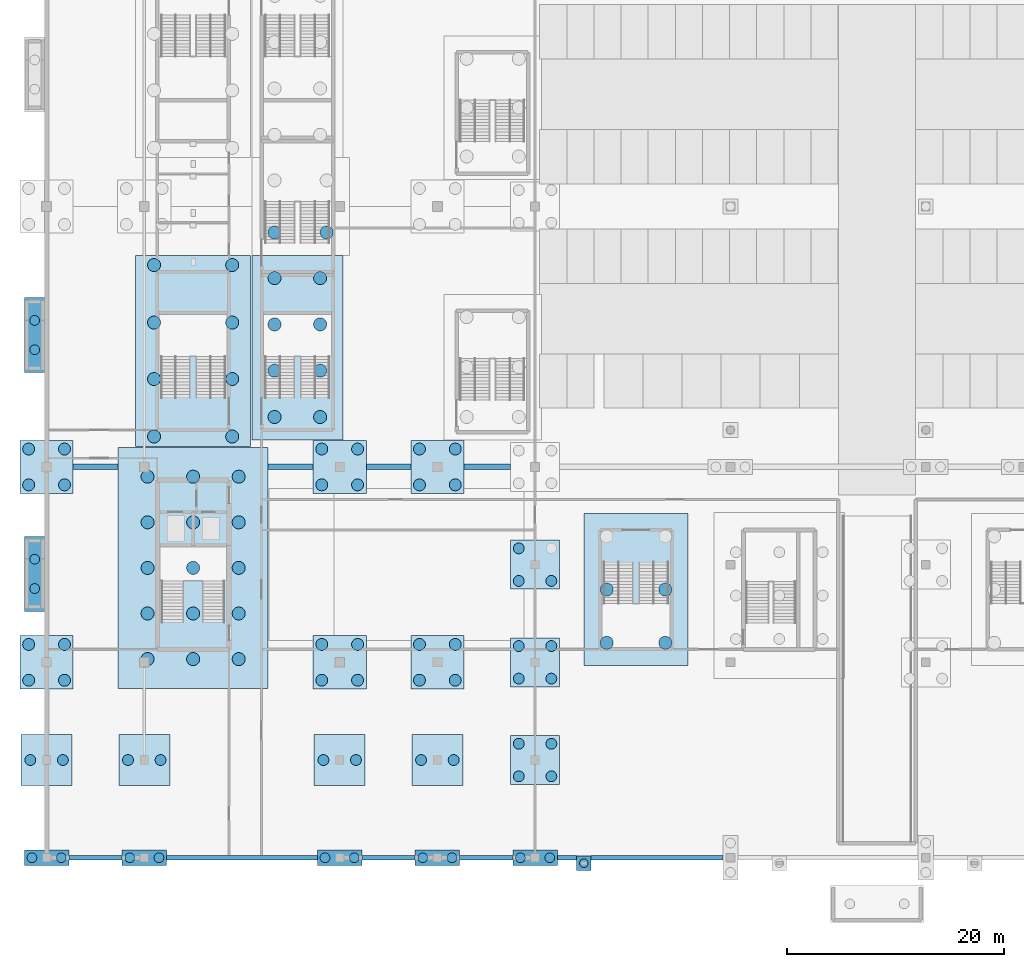
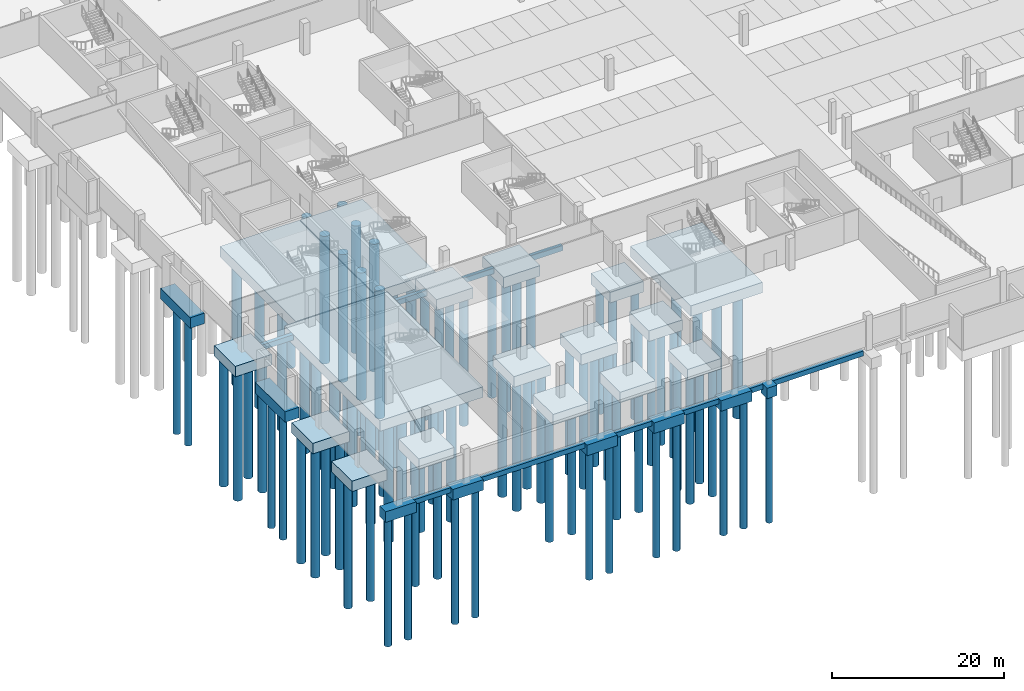
# One storey, part 1 of 46: 95 piles, 35 footings.
"""IFC4 building model written with IfcOpenShell, lengths in metres."""

from ifc_helpers import new_model, si_unit, direction, frame, origin, origin_2d, place, context, subcontext, project, spatial, polyline, circle, outline, extrude, material, material_profile, profile_set, type_object, element, save


model = new_model("IFC4")

# Units and contexts
model_context = context("Model", 3, precision=1e-05, world=origin(), true_north=direction((0.0, 1.0)))
body_context = subcontext(model_context, "Body", "Model", "MODEL_VIEW")
ifc_project = project(units=[si_unit("LENGTHUNIT", "METRE"), si_unit("AREAUNIT", "SQUARE_METRE"), si_unit("VOLUMEUNIT", "CUBIC_METRE"), si_unit("PLANEANGLEUNIT", "RADIAN"), si_unit("MASSUNIT", "GRAM", prefix="KILO")], contexts=[model_context])

# Site, building, storey
site_placement = place(None, origin())
site = spatial("IfcSite", under=ifc_project, at=site_placement, CompositionType="ELEMENT")
building_placement = place(site_placement, origin())
building = spatial("IfcBuilding", under=site, at=building_placement, Name="Kisiwana Market Hall", CompositionType="ELEMENT")
storey_placement = place(building_placement, frame((0.0, 0.0, -4.5)))
storey = spatial("IfcBuildingStorey", under=building, at=storey_placement, Name="B1", CompositionType="ELEMENT", Elevation=-4.5)

# Footings
ifc_material_1 = material(Name="Concrete C40/50", Category="concrete")
footing_type_1 = type_object("IfcFootingType", Name="FB-TIE-450x700", PredefinedType="FOOTING_BEAM", material=ifc_material_1)
footing_1_placement = place(storey_placement, frame((0.0, 0.0, -1.14990234375)))
element("IfcFooting", 1, at=footing_1_placement, inside=storey, type_object=footing_type_1, Name="Ground tie beam F-200", PredefinedType="FOOTING_BEAM", context=body_context, shape_type="SweptSolid", body=[
    extrude(outline(polyline([(2.050048828125, -0.22509765625), (6.949951171875, -0.22509765625), (6.949951171875, 0.22509765625), (2.050048828125, 0.22509765625), (2.050048828125, -0.22509765625)])), origin(), (0.0, 0.0, 1.0), 0.699951171875),
])
footing_2_placement = place(storey_placement, frame((0.0, 0.0, -1.14990234375)))
element("IfcFooting", 2, at=footing_2_placement, inside=storey, type_object=footing_type_1, Name="Ground tie beam F-201", PredefinedType="FOOTING_BEAM", context=body_context, shape_type="SweptSolid", body=[
    extrude(outline(polyline([(11.050048828125, -0.22509765625), (24.949951171875, -0.22509765625), (24.949951171875, 0.22509765625), (11.050048828125, 0.22509765625), (11.050048828125, -0.22509765625)])), origin(), (0.0, 0.0, 1.0), 0.699951171875),
])
footing_3_placement = place(storey_placement, frame((0.0, 0.0, -1.14990234375)))
element("IfcFooting", 3, at=footing_3_placement, inside=storey, type_object=footing_type_1, Name="Ground tie beam F-202", PredefinedType="FOOTING_BEAM", context=body_context, shape_type="SweptSolid", body=[
    extrude(outline(polyline([(29.050048828125, -0.22509765625), (33.949951171875, -0.22509765625), (33.949951171875, 0.22509765625), (29.050048828125, 0.22509765625), (29.050048828125, -0.22509765625)])), origin(), (0.0, 0.0, 1.0), 0.699951171875),
])
footing_4_placement = place(storey_placement, frame((0.0, 0.0, -1.14990234375)))
element("IfcFooting", 4, at=footing_4_placement, inside=storey, type_object=footing_type_1, Name="Ground tie beam F-203", PredefinedType="FOOTING_BEAM", context=body_context, shape_type="SweptSolid", body=[
    extrude(outline(polyline([(38.050048828125, -0.22509765625), (42.949951171875, -0.22509765625), (42.949951171875, 0.22509765625), (38.050048828125, 0.22509765625), (38.050048828125, -0.22509765625)])), origin(), (0.0, 0.0, 1.0), 0.699951171875),
])
footing_5_placement = place(storey_placement, frame((0.0, 0.0, -1.14990234375)))
element("IfcFooting", 5, at=footing_5_placement, inside=storey, type_object=footing_type_1, Name="Ground tie beam F-204", PredefinedType="FOOTING_BEAM", context=body_context, shape_type="SweptSolid", body=[
    extrude(outline(polyline([(47.050048828125, -0.22509765625), (48.824951171875, -0.22509765625), (48.824951171875, 0.22509765625), (47.050048828125, 0.22509765625), (47.050048828125, -0.22509765625)])), origin(), (0.0, 0.0, 1.0), 0.699951171875),
])
footing_6_placement = place(storey_placement, frame((0.0, 0.0, -1.14990234375)))
element("IfcFooting", 6, at=footing_6_placement, inside=storey, type_object=footing_type_1, Name="Ground tie beam F-205", PredefinedType="FOOTING_BEAM", context=body_context, shape_type="SweptSolid", body=[
    extrude(outline(polyline([(50.175048828125, -0.22509765625), (62.300048828125, -0.22509765625), (62.300048828125, 0.22509765625), (50.175048828125, 0.22509765625), (50.175048828125, -0.22509765625)])), origin(), (0.0, 0.0, 1.0), 0.699951171875),
])
ifc_material_2 = material(Name="Concrete C40/50", Category="concrete")
footing_type_2 = type_object("IfcFootingType", Name="FB-TIE-500x750", PredefinedType="FOOTING_BEAM", material=ifc_material_2)
footing_7_placement = place(storey_placement, frame((0.0, 0.0, -1.199951171875)))
element("IfcFooting", 7, at=footing_7_placement, inside=storey, type_object=footing_type_2, Name="Ground tie beam F-220", PredefinedType="FOOTING_BEAM", context=body_context, shape_type="SweptSolid", body=[
    extrude(outline(polyline([(2.449951171875, 35.75), (6.60009765625, 35.75), (6.60009765625, 36.25), (2.449951171875, 36.25), (2.449951171875, 35.75)])), origin(), (0.0, 0.0, 1.0), 0.75),
])
footing_8_placement = place(storey_placement, frame((0.0, 0.0, -1.199951171875)))
element("IfcFooting", 8, at=footing_8_placement, inside=storey, type_object=footing_type_2, Name="Ground tie beam F-221", PredefinedType="FOOTING_BEAM", context=body_context, shape_type="SweptSolid", body=[
    extrude(outline(polyline([(20.39990234375, 35.75), (24.550048828125, 35.75), (24.550048828125, 36.25), (20.39990234375, 36.25), (20.39990234375, 35.75)])), origin(), (0.0, 0.0, 1.0), 0.75),
])
footing_9_placement = place(storey_placement, frame((0.0, 0.0, -1.199951171875)))
element("IfcFooting", 9, at=footing_9_placement, inside=storey, type_object=footing_type_2, Name="Ground tie beam F-222", PredefinedType="FOOTING_BEAM", context=body_context, shape_type="SweptSolid", body=[
    extrude(outline(polyline([(29.449951171875, 35.75), (33.550048828125, 35.75), (33.550048828125, 36.25), (29.449951171875, 36.25), (29.449951171875, 35.75)])), origin(), (0.0, 0.0, 1.0), 0.75),
])
footing_10_placement = place(storey_placement, frame((0.0, 0.0, -1.199951171875)))
element("IfcFooting", 10, at=footing_10_placement, inside=storey, type_object=footing_type_2, Name="Ground tie beam F-223", PredefinedType="FOOTING_BEAM", context=body_context, shape_type="SweptSolid", body=[
    extrude(outline(polyline([(38.449951171875, 35.75), (42.75, 35.75), (42.75, 36.25), (38.449951171875, 36.25), (38.449951171875, 35.75)])), origin(), (0.0, 0.0, 1.0), 0.75),
])
ifc_material_3 = material(Name="Concrete C40/50", Category="concrete")
footing_type_3 = type_object("IfcFootingType", Name="PC-1P-800", PredefinedType="PILE_CAP", material=ifc_material_3)
footing_11_placement = place(storey_placement, frame((0.0, 0.0, -1.949951171875)))
element("IfcFooting", 11, at=footing_11_placement, inside=storey, type_object=footing_type_3, Name="Pilaster cap F-138", PredefinedType="PILE_CAP", context=body_context, shape_type="SweptSolid", body=[
    extrude(outline(polyline([(48.824951171875, -1.175048828125), (50.175048828125, -1.175048828125), (50.175048828125, 0.175048828125), (48.824951171875, 0.175048828125), (48.824951171875, -1.175048828125)])), origin(), (0.0, 0.0, 1.0), 1.5),
])
ifc_material_4 = material(Name="Concrete C40/50", Category="concrete")
footing_type_4 = type_object("IfcFootingType", Name="PC-2P-900", PredefinedType="PILE_CAP", material=ifc_material_4)
footing_12_placement = place(storey_placement, frame((0.0, 0.0, -1.949951171875)))
element("IfcFooting", 12, at=footing_12_placement, inside=storey, type_object=footing_type_4, Name="Pile cap F-002 at A/1", PredefinedType="PILE_CAP", context=body_context, shape_type="SweptSolid", body=[
    extrude(outline(polyline([(-2.050048828125, -0.699951171875), (2.050048828125, -0.699951171875), (2.050048828125, 0.699951171875), (-2.050048828125, 0.699951171875), (-2.050048828125, -0.699951171875)])), origin(), (0.0, 0.0, 1.0), 1.5),
])
footing_13_placement = place(storey_placement, frame((0.0, 0.0, -1.949951171875)))
element("IfcFooting", 13, at=footing_13_placement, inside=storey, type_object=footing_type_4, Name="Pile cap F-012 at A/2", PredefinedType="PILE_CAP", context=body_context, shape_type="SweptSolid", body=[
    extrude(outline(polyline([(6.949951171875, -0.699951171875), (11.050048828125, -0.699951171875), (11.050048828125, 0.699951171875), (6.949951171875, 0.699951171875), (6.949951171875, -0.699951171875)])), origin(), (0.0, 0.0, 1.0), 1.5),
])
footing_14_placement = place(storey_placement, frame((0.0, 0.0, -1.949951171875)))
element("IfcFooting", 14, at=footing_14_placement, inside=storey, type_object=footing_type_4, Name="Pile cap F-017 at A/4", PredefinedType="PILE_CAP", context=body_context, shape_type="SweptSolid", body=[
    extrude(outline(polyline([(24.949951171875, -0.699951171875), (29.050048828125, -0.699951171875), (29.050048828125, 0.699951171875), (24.949951171875, 0.699951171875), (24.949951171875, -0.699951171875)])), origin(), (0.0, 0.0, 1.0), 1.5),
])
footing_15_placement = place(storey_placement, frame((0.0, 0.0, -1.949951171875)))
element("IfcFooting", 15, at=footing_15_placement, inside=storey, type_object=footing_type_4, Name="Pile cap F-026 at A/5", PredefinedType="PILE_CAP", context=body_context, shape_type="SweptSolid", body=[
    extrude(outline(polyline([(33.949951171875, -0.699951171875), (38.050048828125, -0.699951171875), (38.050048828125, 0.699951171875), (33.949951171875, 0.699951171875), (33.949951171875, -0.699951171875)])), origin(), (0.0, 0.0, 1.0), 1.5),
])
footing_16_placement = place(storey_placement, frame((0.0, 0.0, -1.949951171875)))
element("IfcFooting", 16, at=footing_16_placement, inside=storey, type_object=footing_type_4, Name="Pile cap F-035 at A/6", PredefinedType="PILE_CAP", context=body_context, shape_type="SweptSolid", body=[
    extrude(outline(polyline([(42.949951171875, -0.699951171875), (47.050048828125, -0.699951171875), (47.050048828125, 0.699951171875), (42.949951171875, 0.699951171875), (42.949951171875, -0.699951171875)])), origin(), (0.0, 0.0, 1.0), 1.5),
])
ifc_material_5 = material(Name="Concrete C40/50", Category="concrete")
footing_type_5 = type_object("IfcFootingType", Name="PC-2P-900V", PredefinedType="PILE_CAP", material=ifc_material_5)
footing_17_placement = place(storey_placement, frame((0.0, 0.0, -1.949951171875)))
element("IfcFooting", 17, at=footing_17_placement, inside=storey, type_object=footing_type_5, Name="Ramp foundation cap F-194", PredefinedType="PILE_CAP", context=body_context, shape_type="SweptSolid", body=[
    extrude(outline(polyline([(-2.050048828125, 22.699951171875), (-0.14990234375, 22.699951171875), (-0.14990234375, 29.60009765625), (-2.050048828125, 29.60009765625), (-2.050048828125, 22.699951171875)])), origin(), (0.0, 0.0, 1.0), 1.5),
])
footing_18_placement = place(storey_placement, frame((0.0, 0.0, -1.949951171875)))
element("IfcFooting", 18, at=footing_18_placement, inside=storey, type_object=footing_type_5, Name="Ramp foundation cap F-195", PredefinedType="PILE_CAP", context=body_context, shape_type="SweptSolid", body=[
    extrude(outline(polyline([(-2.050048828125, 44.699951171875), (-0.14990234375, 44.699951171875), (-0.14990234375, 51.60009765625), (-2.050048828125, 51.60009765625), (-2.050048828125, 44.699951171875)])), origin(), (0.0, 0.0, 1.0), 1.5),
])
ifc_material_6 = material(Name="Concrete C40/50", Category="concrete")
footing_type_6 = type_object("IfcFootingType", Name="PC-4P-1000", PredefinedType="PILE_CAP", material=ifc_material_6)
footing_19_placement = place(storey_placement, frame((0.0, 0.0, -1.949951171875)))
element("IfcFooting", 19, at=footing_19_placement, inside=storey, type_object=footing_type_6, Name="Pile cap F-036 at B/6", PredefinedType="PILE_CAP", context=body_context, shape_type="SweptSolid", body=[
    extrude(outline(polyline([(42.75, 6.75), (47.25, 6.75), (47.25, 11.25), (42.75, 11.25), (42.75, 6.75)])), origin(), (0.0, 0.0, 1.0), 1.5),
])
footing_20_placement = place(storey_placement, frame((0.0, 0.0, -1.949951171875)))
element("IfcFooting", 20, at=footing_20_placement, inside=storey, type_object=footing_type_6, Name="Pile cap F-037 at C/6", PredefinedType="PILE_CAP", context=body_context, shape_type="SweptSolid", body=[
    extrude(outline(polyline([(42.75, 15.75), (47.25, 15.75), (47.25, 20.25), (42.75, 20.25), (42.75, 15.75)])), origin(), (0.0, 0.0, 1.0), 1.5),
])
footing_21_placement = place(storey_placement, frame((0.0, 0.0, -1.949951171875)))
element("IfcFooting", 21, at=footing_21_placement, inside=storey, type_object=footing_type_6, Name="Pile cap F-038 at D/6", PredefinedType="PILE_CAP", context=body_context, shape_type="SweptSolid", body=[
    extrude(outline(polyline([(42.75, 24.75), (47.25, 24.75), (47.25, 29.25), (42.75, 29.25), (42.75, 24.75)])), origin(), (0.0, 0.0, 1.0), 1.5),
])
ifc_material_7 = material(Name="Concrete C40/50", Category="concrete")
footing_type_7 = type_object("IfcFootingType", Name="PC-4P-1050", PredefinedType="PILE_CAP", material=ifc_material_7)
footing_22_placement = place(storey_placement, frame((0.0, 0.0, -1.949951171875)))
element("IfcFooting", 22, at=footing_22_placement, inside=storey, type_object=footing_type_7, Name="Pile cap F-003 at B/1", PredefinedType="PILE_CAP", context=body_context, shape_type="SweptSolid", body=[
    extrude(outline(polyline([(-2.35009765625, 6.64990234375), (2.35009765625, 6.64990234375), (2.35009765625, 11.35009765625), (-2.35009765625, 11.35009765625), (-2.35009765625, 6.64990234375)])), origin(), (0.0, 0.0, 1.0), 1.5),
])
footing_23_placement = place(storey_placement, frame((0.0, 0.0, -1.949951171875)))
element("IfcFooting", 23, at=footing_23_placement, inside=storey, type_object=footing_type_7, Name="Pile cap F-013 at B/2", PredefinedType="PILE_CAP", context=body_context, shape_type="SweptSolid", body=[
    extrude(outline(polyline([(6.64990234375, 6.64990234375), (11.35009765625, 6.64990234375), (11.35009765625, 11.35009765625), (6.64990234375, 11.35009765625), (6.64990234375, 6.64990234375)])), origin(), (0.0, 0.0, 1.0), 1.5),
])
footing_24_placement = place(storey_placement, frame((0.0, 0.0, -1.949951171875)))
element("IfcFooting", 24, at=footing_24_placement, inside=storey, type_object=footing_type_7, Name="Pile cap F-018 at B/4", PredefinedType="PILE_CAP", context=body_context, shape_type="SweptSolid", body=[
    extrude(outline(polyline([(24.64990234375, 6.64990234375), (29.35009765625, 6.64990234375), (29.35009765625, 11.35009765625), (24.64990234375, 11.35009765625), (24.64990234375, 6.64990234375)])), origin(), (0.0, 0.0, 1.0), 1.5),
])
footing_25_placement = place(storey_placement, frame((0.0, 0.0, -1.949951171875)))
element("IfcFooting", 25, at=footing_25_placement, inside=storey, type_object=footing_type_7, Name="Pile cap F-027 at B/5", PredefinedType="PILE_CAP", context=body_context, shape_type="SweptSolid", body=[
    extrude(outline(polyline([(33.64990234375, 6.64990234375), (38.35009765625, 6.64990234375), (38.35009765625, 11.35009765625), (33.64990234375, 11.35009765625), (33.64990234375, 6.64990234375)])), origin(), (0.0, 0.0, 1.0), 1.5),
])
ifc_material_8 = material(Name="Concrete C40/50", Category="concrete")
footing_type_8 = type_object("IfcFootingType", Name="PC-4P-1100", PredefinedType="PILE_CAP", material=ifc_material_8)
footing_26_placement = place(storey_placement, frame((0.0, 0.0, -1.949951171875)))
element("IfcFooting", 26, at=footing_26_placement, inside=storey, type_object=footing_type_8, Name="Pile cap F-004 at C/1", PredefinedType="PILE_CAP", context=body_context, shape_type="SweptSolid", body=[
    extrude(outline(polyline([(-2.449951171875, 15.550048828125), (2.449951171875, 15.550048828125), (2.449951171875, 20.449951171875), (-2.449951171875, 20.449951171875), (-2.449951171875, 15.550048828125)])), origin(), (0.0, 0.0, 1.0), 1.5),
])
footing_27_placement = place(storey_placement, frame((0.0, 0.0, -1.949951171875)))
element("IfcFooting", 27, at=footing_27_placement, inside=storey, type_object=footing_type_8, Name="Pile cap F-005 at E/1", PredefinedType="PILE_CAP", context=body_context, shape_type="SweptSolid", body=[
    extrude(outline(polyline([(-2.449951171875, 33.550048828125), (2.449951171875, 33.550048828125), (2.449951171875, 38.449951171875), (-2.449951171875, 38.449951171875), (-2.449951171875, 33.550048828125)])), origin(), (0.0, 0.0, 1.0), 1.5),
])
footing_28_placement = place(storey_placement, frame((0.0, 0.0, -1.949951171875)))
element("IfcFooting", 28, at=footing_28_placement, inside=storey, type_object=footing_type_8, Name="Pile cap F-019 at C/4", PredefinedType="PILE_CAP", context=body_context, shape_type="SweptSolid", body=[
    extrude(outline(polyline([(24.550048828125, 15.550048828125), (29.449951171875, 15.550048828125), (29.449951171875, 20.449951171875), (24.550048828125, 20.449951171875), (24.550048828125, 15.550048828125)])), origin(), (0.0, 0.0, 1.0), 1.5),
])
footing_29_placement = place(storey_placement, frame((0.0, 0.0, -1.949951171875)))
element("IfcFooting", 29, at=footing_29_placement, inside=storey, type_object=footing_type_8, Name="Pile cap F-020 at E/4", PredefinedType="PILE_CAP", context=body_context, shape_type="SweptSolid", body=[
    extrude(outline(polyline([(24.550048828125, 33.550048828125), (29.449951171875, 33.550048828125), (29.449951171875, 38.449951171875), (24.550048828125, 38.449951171875), (24.550048828125, 33.550048828125)])), origin(), (0.0, 0.0, 1.0), 1.5),
])
footing_30_placement = place(storey_placement, frame((0.0, 0.0, -1.949951171875)))
element("IfcFooting", 30, at=footing_30_placement, inside=storey, type_object=footing_type_8, Name="Pile cap F-028 at C/5", PredefinedType="PILE_CAP", context=body_context, shape_type="SweptSolid", body=[
    extrude(outline(polyline([(33.550048828125, 15.550048828125), (38.449951171875, 15.550048828125), (38.449951171875, 20.449951171875), (33.550048828125, 20.449951171875), (33.550048828125, 15.550048828125)])), origin(), (0.0, 0.0, 1.0), 1.5),
])
footing_31_placement = place(storey_placement, frame((0.0, 0.0, -1.949951171875)))
element("IfcFooting", 31, at=footing_31_placement, inside=storey, type_object=footing_type_8, Name="Pile cap F-029 at E/5", PredefinedType="PILE_CAP", context=body_context, shape_type="SweptSolid", body=[
    extrude(outline(polyline([(33.550048828125, 33.550048828125), (38.449951171875, 33.550048828125), (38.449951171875, 38.449951171875), (33.550048828125, 38.449951171875), (33.550048828125, 33.550048828125)])), origin(), (0.0, 0.0, 1.0), 1.5),
])
ifc_material_9 = material(Name="Concrete C40/50", Category="concrete")
footing_type_9 = type_object("IfcFootingType", Name="PC-ESC-RAFT", PredefinedType="PILE_CAP", material=ifc_material_9)
footing_32_placement = place(storey_placement, frame((0.0, 0.0, -1.949951171875)))
element("IfcFooting", 32, at=footing_32_placement, inside=storey, type_object=footing_type_9, Name="Core raft pile cap W3 F-188", PredefinedType="PILE_CAP", context=body_context, shape_type="SweptSolid", body=[
    extrude(outline(polyline([(8.199951171875, 37.89990234375), (18.800048828125, 37.89990234375), (18.800048828125, 55.5), (8.199951171875, 55.5), (8.199951171875, 37.89990234375)])), origin(), (0.0, 0.0, 1.0), 1.5),
])
footing_33_placement = place(storey_placement, frame((0.0, 0.0, -1.949951171875)))
element("IfcFooting", 33, at=footing_33_placement, inside=storey, type_object=footing_type_9, Name="Core raft pile cap W7 F-191", PredefinedType="PILE_CAP", context=body_context, shape_type="SweptSolid", body=[
    extrude(outline(polyline([(18.89990234375, 38.5), (27.300048828125, 38.5), (27.300048828125, 55.5), (18.89990234375, 55.5), (18.89990234375, 38.5)])), origin(), (0.0, 0.0, 1.0), 1.5),
])
footing_34_placement = place(storey_placement, frame((0.0, 0.0, -1.949951171875)))
element("IfcFooting", 34, at=footing_34_placement, inside=storey, type_object=footing_type_9, Name="Core raft pile cap S3 F-181", PredefinedType="PILE_CAP", context=body_context, shape_type="SweptSolid", body=[
    extrude(outline(polyline([(49.5, 17.699951171875), (59.10009765625, 17.699951171875), (59.10009765625, 31.699951171875), (49.5, 31.699951171875), (49.5, 17.699951171875)])), origin(), (0.0, 0.0, 1.0), 1.5),
])
ifc_material_10 = material(Name="Concrete C40/50", Category="concrete")
footing_type_10 = type_object("IfcFootingType", Name="PC-MAIN-RAFT", PredefinedType="PILE_CAP", material=ifc_material_10)
footing_35_placement = place(storey_placement, frame((0.0, 0.0, -1.949951171875)))
element("IfcFooting", 35, at=footing_35_placement, inside=storey, type_object=footing_type_10, Name="Core raft pile cap W2 F-187", PredefinedType="PILE_CAP", context=body_context, shape_type="SweptSolid", body=[
    extrude(outline(polyline([(6.60009765625, 15.60009765625), (20.39990234375, 15.60009765625), (20.39990234375, 37.800048828125), (6.60009765625, 37.800048828125), (6.60009765625, 15.60009765625)])), origin(), (0.0, 0.0, 1.0), 1.5),
])

# Piles
ifc_material_11 = material(Name="Concrete C40/50", Category="concrete")
ifc_material_profile_1 = material_profile(ifc_material_11, circle(Radius=0.5, at=origin_2d()), Name="BP D1000")
ifc_profile_set_1 = profile_set([ifc_material_profile_1], Name="Concrete C40/50")
pile_type_1 = type_object("IfcPileType", Name="PILE-D1000", PredefinedType="BORED", material=ifc_profile_set_1)
for number, where, z_axis, x_axis, name in (
    (36, (-1.5, 9.0, -1.85009765625), (0.0, 0.0, -1.0), (1.0, 0.0, 0.0), "Bored pile P-099"),
    (37, (1.5, 9.0, -1.85009765625), (0.0, 0.0, -1.0), (1.0, 0.0, 0.0), "Bored pile P-100"),
    (38, (7.5, 9.0, -1.85009765625), (0.0, 0.0, -1.0), (1.0, 0.0, 0.0), "Bored pile P-129"),
    (39, (10.5, 9.0, -1.85009765625), (0.0, 0.0, -1.0), (1.0, 0.0, 0.0), "Bored pile P-130"),
    (40, (25.5, 9.0, -1.85009765625), (0.0, 0.0, -1.0), (1.0, 0.0, 0.0), "Bored pile P-137"),
    (41, (28.5, 9.0, -1.85009765625), (0.0, 0.0, -1.0), (1.0, 0.0, 0.0), "Bored pile P-138"),
    (42, (34.5, 9.0, -1.85009765625), (0.0, 0.0, -1.0), (1.0, 0.0, 0.0), "Bored pile P-163"),
    (43, (37.5, 9.0, -1.85009765625), (0.0, 0.0, -1.0), (1.0, 0.0, 0.0), "Bored pile P-164"),
    (44, (43.5, 7.5, -1.85009765625), (0.0, 0.0, -1.0), (1.0, 0.0, 0.0), "Bored pile P-189"),
    (45, (46.5, 7.5, -1.85009765625), (0.0, 0.0, -1.0), (1.0, 0.0, 0.0), "Bored pile P-190"),
    (46, (43.5, 10.5, -1.85009765625), (0.0, 0.0, -1.0), (1.0, 0.0, 0.0), "Bored pile P-191"),
    (47, (46.5, 10.5, -1.85009765625), (0.0, 0.0, -1.0), (1.0, 0.0, 0.0), "Bored pile P-192"),
    (48, (43.5, 16.5, -1.85009765625), (0.0, 0.0, -1.0), (1.0, 0.0, 0.0), "Bored pile P-193"),
    (49, (46.5, 16.5, -1.85009765625), (0.0, 0.0, -1.0), (1.0, 0.0, 0.0), "Bored pile P-194"),
    (50, (43.5, 19.5, -1.85009765625), (0.0, 0.0, -1.0), (1.0, 0.0, 0.0), "Bored pile P-195"),
    (51, (46.5, 19.5, -1.85009765625), (0.0, 0.0, -1.0), (1.0, 0.0, 0.0), "Bored pile P-196"),
    (52, (43.5, 25.5, -1.85009765625), (0.0, 0.0, -1.0), (1.0, 0.0, 0.0), "Bored pile P-197"),
    (53, (46.5, 25.5, -1.85009765625), (0.0, 0.0, -1.0), (1.0, 0.0, 0.0), "Bored pile P-198"),
    (54, (43.5, 28.5, -1.85009765625), (0.0, 0.0, -1.0), (1.0, 0.0, 0.0), "Bored pile P-199"),
):
    element("IfcPile", number, at=place(storey_placement, frame(where, z_axis=z_axis, x_axis=x_axis)), inside=storey, type_object=pile_type_1, Name=name, PredefinedType="BORED", context=body_context, shape_type="SweptSolid", body=[
        extrude(circle(Radius=0.5, at=origin_2d()), origin(), (0.0, 0.0, 1.0), 18.10009765625),
    ])
ifc_material_12 = material(Name="Concrete C40/50", Category="concrete")
ifc_material_profile_2 = material_profile(ifc_material_12, circle(Radius=0.550048828125, at=origin_2d()), Name="BP D1100")
ifc_profile_set_2 = profile_set([ifc_material_profile_2], Name="Concrete C40/50")
pile_type_2 = type_object("IfcPileType", Name="PILE-D1100", PredefinedType="BORED", material=ifc_profile_set_2)
for number, where, z_axis, x_axis, name in (
    (55, (-1.64990234375, 16.35009765625, -1.85009765625), (0.0, 0.0, -1.0), (1.0, 0.0, 0.0), "Bored pile P-101"),
    (56, (1.64990234375, 16.35009765625, -1.85009765625), (0.0, 0.0, -1.0), (1.0, 0.0, 0.0), "Bored pile P-102"),
    (57, (-1.64990234375, 19.64990234375, -1.85009765625), (0.0, 0.0, -1.0), (1.0, 0.0, 0.0), "Bored pile P-103"),
    (58, (1.64990234375, 19.64990234375, -1.85009765625), (0.0, 0.0, -1.0), (1.0, 0.0, 0.0), "Bored pile P-104"),
    (59, (-1.64990234375, 34.35009765625, -1.85009765625), (0.0, 0.0, -1.0), (1.0, 0.0, 0.0), "Bored pile P-105"),
    (60, (1.64990234375, 34.35009765625, -1.85009765625), (0.0, 0.0, -1.0), (1.0, 0.0, 0.0), "Bored pile P-106"),
    (61, (-1.64990234375, 37.64990234375, -1.85009765625), (0.0, 0.0, -1.0), (1.0, 0.0, 0.0), "Bored pile P-107"),
    (62, (1.64990234375, 37.64990234375, -1.85009765625), (0.0, 0.0, -1.0), (1.0, 0.0, 0.0), "Bored pile P-108"),
    (63, (25.35009765625, 16.35009765625, -1.85009765625), (0.0, 0.0, -1.0), (1.0, 0.0, 0.0), "Bored pile P-139"),
    (64, (28.64990234375, 16.35009765625, -1.85009765625), (0.0, 0.0, -1.0), (1.0, 0.0, 0.0), "Bored pile P-140"),
    (65, (25.35009765625, 19.64990234375, -1.85009765625), (0.0, 0.0, -1.0), (1.0, 0.0, 0.0), "Bored pile P-141"),
    (66, (28.64990234375, 19.64990234375, -1.85009765625), (0.0, 0.0, -1.0), (1.0, 0.0, 0.0), "Bored pile P-142"),
    (67, (25.35009765625, 34.35009765625, -1.85009765625), (0.0, 0.0, -1.0), (1.0, 0.0, 0.0), "Bored pile P-143"),
    (68, (28.64990234375, 34.35009765625, -1.85009765625), (0.0, 0.0, -1.0), (1.0, 0.0, 0.0), "Bored pile P-144"),
    (69, (25.35009765625, 37.64990234375, -1.85009765625), (0.0, 0.0, -1.0), (1.0, 0.0, 0.0), "Bored pile P-145"),
    (70, (28.64990234375, 37.64990234375, -1.85009765625), (0.0, 0.0, -1.0), (1.0, 0.0, 0.0), "Bored pile P-146"),
    (71, (34.35009765625, 16.35009765625, -1.85009765625), (0.0, 0.0, -1.0), (1.0, 0.0, 0.0), "Bored pile P-165"),
    (72, (37.64990234375, 16.35009765625, -1.85009765625), (0.0, 0.0, -1.0), (1.0, 0.0, 0.0), "Bored pile P-166"),
    (73, (34.35009765625, 19.64990234375, -1.85009765625), (0.0, 0.0, -1.0), (1.0, 0.0, 0.0), "Bored pile P-167"),
    (74, (37.64990234375, 19.64990234375, -1.85009765625), (0.0, 0.0, -1.0), (1.0, 0.0, 0.0), "Bored pile P-168"),
    (75, (34.35009765625, 34.35009765625, -1.85009765625), (0.0, 0.0, -1.0), (1.0, 0.0, 0.0), "Bored pile P-169"),
    (76, (37.64990234375, 34.35009765625, -1.85009765625), (0.0, 0.0, -1.0), (1.0, 0.0, 0.0), "Bored pile P-170"),
    (77, (34.35009765625, 37.64990234375, -1.85009765625), (0.0, 0.0, -1.0), (1.0, 0.0, 0.0), "Bored pile P-171"),
    (78, (37.64990234375, 37.64990234375, -1.85009765625), (0.0, 0.0, -1.0), (1.0, 0.0, 0.0), "Bored pile P-172"),
):
    element("IfcPile", number, at=place(storey_placement, frame(where, z_axis=z_axis, x_axis=x_axis)), inside=storey, type_object=pile_type_2, Name=name, PredefinedType="BORED", context=body_context, shape_type="SweptSolid", body=[
        extrude(circle(Radius=0.550048828125, at=origin_2d()), origin(), (0.0, 0.0, 1.0), 18.10009765625),
    ])
ifc_material_13 = material(Name="Concrete C40/50", Category="concrete")
ifc_material_profile_3 = material_profile(ifc_material_13, circle(Radius=0.60009765625, at=origin_2d()), Name="BP D1200")
ifc_profile_set_3 = profile_set([ifc_material_profile_3], Name="Concrete C40/50")
pile_type_3 = type_object("IfcPileType", Name="PILE-D1200", PredefinedType="BORED", material=ifc_profile_set_3)
for number, where, z_axis, x_axis, name in (
    (79, (9.300048828125, 18.300048828125, -1.85009765625), (0.0, 0.0, -1.0), (1.0, 0.0, 0.0), "Bored pile P-001"),
    (80, (9.300048828125, 22.5, -1.85009765625), (0.0, 0.0, -1.0), (1.0, 0.0, 0.0), "Bored pile P-002"),
    (81, (9.300048828125, 26.699951171875, -1.85009765625), (0.0, 0.0, -1.0), (1.0, 0.0, 0.0), "Bored pile P-003"),
    (82, (9.300048828125, 30.89990234375, -1.85009765625), (0.0, 0.0, -1.0), (1.0, 0.0, 0.0), "Bored pile P-004"),
    (83, (9.300048828125, 35.10009765625, -1.85009765625), (0.0, 0.0, -1.0), (1.0, 0.0, 0.0), "Bored pile P-005"),
    (84, (13.5, 18.300048828125, -1.85009765625), (0.0, 0.0, -1.0), (1.0, 0.0, 0.0), "Bored pile P-006"),
    (85, (13.5, 22.5, -1.85009765625), (0.0, 0.0, -1.0), (1.0, 0.0, 0.0), "Bored pile P-007"),
    (86, (13.5, 26.699951171875, -1.85009765625), (0.0, 0.0, -1.0), (1.0, 0.0, 0.0), "Bored pile P-008"),
    (87, (13.5, 30.89990234375, -1.85009765625), (0.0, 0.0, -1.0), (1.0, 0.0, 0.0), "Bored pile P-009"),
    (88, (13.5, 35.10009765625, -1.85009765625), (0.0, 0.0, -1.0), (1.0, 0.0, 0.0), "Bored pile P-010"),
    (89, (17.699951171875, 18.300048828125, -1.85009765625), (0.0, 0.0, -1.0), (1.0, 0.0, 0.0), "Bored pile P-011"),
    (90, (17.699951171875, 22.5, -1.85009765625), (0.0, 0.0, -1.0), (1.0, 0.0, 0.0), "Bored pile P-012"),
    (91, (17.699951171875, 26.699951171875, -1.85009765625), (0.0, 0.0, -1.0), (1.0, 0.0, 0.0), "Bored pile P-013"),
    (92, (17.699951171875, 30.89990234375, -1.85009765625), (0.0, 0.0, -1.0), (1.0, 0.0, 0.0), "Bored pile P-014"),
    (93, (17.699951171875, 35.10009765625, -1.85009765625), (0.0, 0.0, -1.0), (1.0, 0.0, 0.0), "Bored pile P-015"),
    (94, (9.89990234375, 38.800048828125, -1.85009765625), (0.0, 0.0, -1.0), (1.0, 0.0, 0.0), "Bored pile P-470"),
    (95, (9.89990234375, 44.10009765625, -1.85009765625), (0.0, 0.0, -1.0), (1.0, 0.0, 0.0), "Bored pile P-471"),
    (96, (9.89990234375, 49.300048828125, -1.85009765625), (0.0, 0.0, -1.0), (1.0, 0.0, 0.0), "Bored pile P-472"),
    (97, (9.89990234375, 54.60009765625, -1.85009765625), (0.0, 0.0, -1.0), (1.0, 0.0, 0.0), "Bored pile P-473"),
    (98, (17.10009765625, 38.800048828125, -1.85009765625), (0.0, 0.0, -1.0), (1.0, 0.0, 0.0), "Bored pile P-474"),
    (99, (17.10009765625, 44.10009765625, -1.85009765625), (0.0, 0.0, -1.0), (1.0, 0.0, 0.0), "Bored pile P-475"),
    (100, (17.10009765625, 49.300048828125, -1.85009765625), (0.0, 0.0, -1.0), (1.0, 0.0, 0.0), "Bored pile P-476"),
    (101, (17.10009765625, 54.60009765625, -1.85009765625), (0.0, 0.0, -1.0), (1.0, 0.0, 0.0), "Bored pile P-477"),
    (102, (21.0, 40.60009765625, -1.85009765625), (0.0, 0.0, -1.0), (1.0, 0.0, 0.0), "Bored pile P-502"),
    (103, (21.0, 44.866943359375, -1.85009765625), (0.0, 0.0, -1.0), (1.0, 0.0, 0.0), "Bored pile P-503"),
    (104, (21.0, 49.133056640625, -1.85009765625), (0.0, 0.0, -1.0), (1.0, 0.0, 0.0), "Bored pile P-504"),
    (105, (21.0, 53.39990234375, -1.85009765625), (0.0, 0.0, -1.0), (1.0, 0.0, 0.0), "Bored pile P-505"),
    (106, (25.199951171875, 40.60009765625, -1.85009765625), (0.0, 0.0, -1.0), (1.0, 0.0, 0.0), "Bored pile P-506"),
    (107, (25.199951171875, 44.866943359375, -1.85009765625), (0.0, 0.0, -1.0), (1.0, 0.0, 0.0), "Bored pile P-507"),
    (108, (25.199951171875, 49.133056640625, -1.85009765625), (0.0, 0.0, -1.0), (1.0, 0.0, 0.0), "Bored pile P-508"),
    (109, (25.199951171875, 53.39990234375, -1.85009765625), (0.0, 0.0, -1.0), (1.0, 0.0, 0.0), "Bored pile P-509"),
    (110, (21.0, 57.60009765625, -1.85009765625), (0.0, 0.0, -1.0), (1.0, 0.0, 0.0), "Bored pile P-558"),
    (111, (25.800048828125, 57.60009765625, -1.85009765625), (0.0, 0.0, -1.0), (1.0, 0.0, 0.0), "Bored pile P-560"),
    (112, (51.60009765625, 19.800048828125, -1.85009765625), (0.0, 0.0, -1.0), (1.0, 0.0, 0.0), "Bored pile P-566"),
    (113, (51.60009765625, 24.699951171875, -1.85009765625), (0.0, 0.0, -1.0), (1.0, 0.0, 0.0), "Bored pile P-567"),
    (114, (57.0, 19.800048828125, -1.85009765625), (0.0, 0.0, -1.0), (1.0, 0.0, 0.0), "Bored pile P-569"),
    (115, (57.0, 24.699951171875, -1.85009765625), (0.0, 0.0, -1.0), (1.0, 0.0, 0.0), "Bored pile P-570"),
):
    element("IfcPile", number, at=place(storey_placement, frame(where, z_axis=z_axis, x_axis=x_axis)), inside=storey, type_object=pile_type_3, Name=name, PredefinedType="BORED", context=body_context, shape_type="SweptSolid", body=[
        extrude(circle(Radius=0.60009765625, at=origin_2d()), origin(), (0.0, 0.0, 1.0), 18.10009765625),
    ])
ifc_material_14 = material(Name="Concrete C40/50", Category="concrete")
ifc_material_profile_4 = material_profile(ifc_material_14, circle(Radius=0.39990234375, at=origin_2d()), Name="BP D800")
ifc_profile_set_4 = profile_set([ifc_material_profile_4], Name="Concrete C40/50")
pile_type_4 = type_object("IfcPileType", Name="PILE-D800", PredefinedType="BORED", material=ifc_profile_set_4)
pile_placement = place(storey_placement, frame((49.5, -0.5, -1.85009765625), z_axis=(0.0, 0.0, -1.0), x_axis=(1.0, 0.0, 0.0)))
element("IfcPile", 116, at=pile_placement, inside=storey, type_object=pile_type_4, Name="Bored pile P-446", PredefinedType="BORED", context=body_context, shape_type="SweptSolid", body=[
    extrude(circle(Radius=0.39990234375, at=origin_2d()), origin(), (0.0, 0.0, 1.0), 18.10009765625),
])
ifc_material_15 = material(Name="Concrete C40/50", Category="concrete")
ifc_material_profile_5 = material_profile(ifc_material_15, circle(Radius=0.449951171875, at=origin_2d()), Name="BP D900")
ifc_profile_set_5 = profile_set([ifc_material_profile_5], Name="Concrete C40/50")
pile_type_5 = type_object("IfcPileType", Name="PILE-D900", PredefinedType="BORED", material=ifc_profile_set_5)
for number, where, z_axis, x_axis, name in (
    (117, (-1.35009765625, 0.0, -1.85009765625), (0.0, 0.0, -1.0), (1.0, 0.0, 0.0), "Bored pile P-097"),
    (118, (1.35009765625, 0.0, -1.85009765625), (0.0, 0.0, -1.0), (1.0, 0.0, 0.0), "Bored pile P-098"),
    (119, (7.64990234375, 0.0, -1.85009765625), (0.0, 0.0, -1.0), (1.0, 0.0, 0.0), "Bored pile P-127"),
    (120, (10.35009765625, 0.0, -1.85009765625), (0.0, 0.0, -1.0), (1.0, 0.0, 0.0), "Bored pile P-128"),
    (121, (25.64990234375, 0.0, -1.85009765625), (0.0, 0.0, -1.0), (1.0, 0.0, 0.0), "Bored pile P-135"),
    (122, (28.35009765625, 0.0, -1.85009765625), (0.0, 0.0, -1.0), (1.0, 0.0, 0.0), "Bored pile P-136"),
    (123, (34.64990234375, 0.0, -1.85009765625), (0.0, 0.0, -1.0), (1.0, 0.0, 0.0), "Bored pile P-161"),
    (124, (37.35009765625, 0.0, -1.85009765625), (0.0, 0.0, -1.0), (1.0, 0.0, 0.0), "Bored pile P-162"),
    (125, (43.64990234375, 0.0, -1.85009765625), (0.0, 0.0, -1.0), (1.0, 0.0, 0.0), "Bored pile P-187"),
    (126, (46.35009765625, 0.0, -1.85009765625), (0.0, 0.0, -1.0), (1.0, 0.0, 0.0), "Bored pile P-188"),
    (127, (-1.10009765625, 24.800048828125, -1.85009765625), (0.0, 0.0, -1.0), (1.0, 0.0, 0.0), "Ramp bored pile 1-1 P-630"),
    (128, (-1.10009765625, 27.5, -1.85009765625), (0.0, 0.0, -1.0), (1.0, 0.0, 0.0), "Ramp bored pile 1-2 P-631"),
    (129, (-1.10009765625, 46.800048828125, -1.85009765625), (0.0, 0.0, -1.0), (1.0, 0.0, 0.0), "Ramp bored pile 2-1 P-632"),
    (130, (-1.10009765625, 49.5, -1.85009765625), (0.0, 0.0, -1.0), (1.0, 0.0, 0.0), "Ramp bored pile 2-2 P-633"),
):
    element("IfcPile", number, at=place(storey_placement, frame(where, z_axis=z_axis, x_axis=x_axis)), inside=storey, type_object=pile_type_5, Name=name, PredefinedType="BORED", context=body_context, shape_type="SweptSolid", body=[
        extrude(circle(Radius=0.449951171875, at=origin_2d()), origin(), (0.0, 0.0, 1.0), 18.10009765625),
    ])

save(model, "model.ifc")
